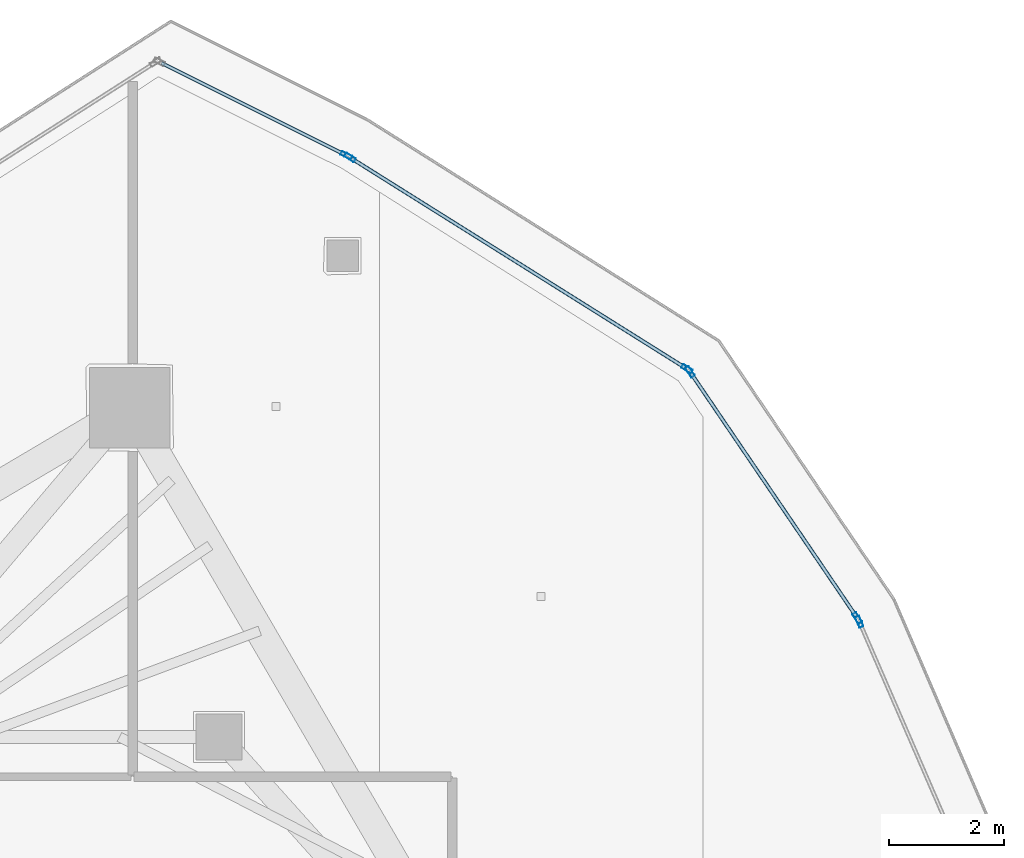
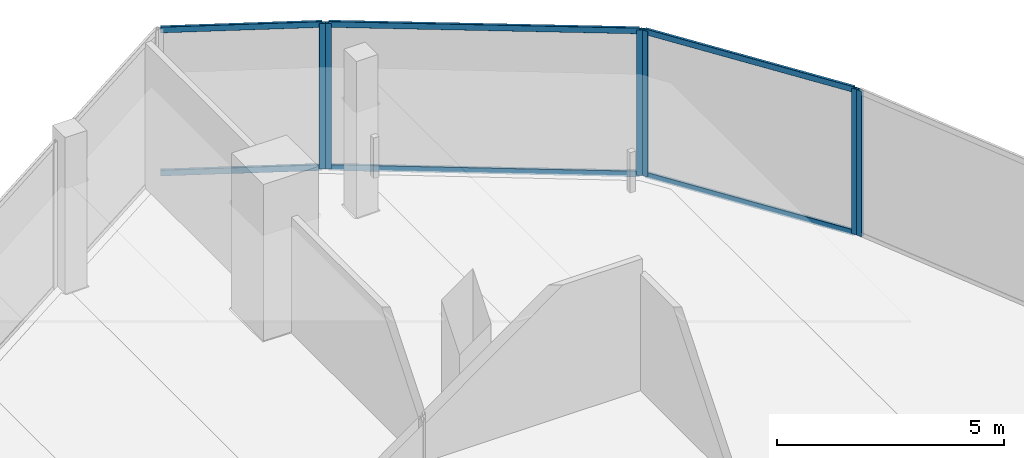
# One storey, part 18 of 27: 12 members, 4 elements without a shape of their own.
"""IFC4 building model written with IfcOpenShell, lengths in metres."""

import ifcopenshell
import ifcopenshell.guid

model = None  # the IFC model being written
_history = None  # IfcOwnerHistory: only IFC2X3 demands one
_inside = {}  # id of a spatial element -> (the spatial element, [elements in it])
_under = {}  # id of a project, library or spatial element -> (it, [spatial elements below it])
_declared = {}  # id of a project -> (the project, [libraries it declares])
_typed = {}  # id of a type object -> (the type object, [elements of that type])
_made_of = {}  # id of a material, layer set ... -> (it, [elements and type objects made of it])


def new_model(schema):
    """Start an empty IFC model of exactly this schema.

    Asked for "IFC4X3", IfcOpenShell would pick the latest addendum, in which some entities
    have other attributes; the version numbers below select the first issue.
    IFC2X3 requires an IfcOwnerHistory on every rooted entity: one is made here for all.
    """
    global model, _history
    if schema == "IFC4X3":
        model = ifcopenshell.file(schema_version=(4, 3, 0, 0))
    else:
        model = ifcopenshell.file(schema=schema)
    _inside.clear()
    _under.clear()
    _declared.clear()
    _typed.clear()
    _made_of.clear()
    _history = None
    if model.schema == "IFC2X3":
        org = make("IfcOrganization", Name="unknown")
        user = make(
            "IfcPersonAndOrganization",
            ThePerson=make("IfcPerson", FamilyName="unknown"),
            TheOrganization=org,
        )
        app = make(
            "IfcApplication",
            ApplicationDeveloper=org,
            Version="unknown",
            ApplicationFullName="unknown",
            ApplicationIdentifier="unknown",
        )
        _history = make(
            "IfcOwnerHistory",
            OwningUser=user,
            OwningApplication=app,
            ChangeAction="ADDED",
            CreationDate=0,
        )
    return model


def make(cls, **values):
    """One entity of the class cls with the attributes given. An attribute that is None is left unset."""
    return model.create_entity(
        cls, **{name: value for name, value in values.items() if value is not None}
    )


def rooted(cls, **values):
    """An entity with a GlobalId (a new one), such as an element, a storey or a relation."""
    return make(cls, GlobalId=ifcopenshell.guid.new(), OwnerHistory=_history, **values)


def si_unit(unit_type, name, prefix=None):
    """IfcSIUnit, for example si_unit("LENGTHUNIT", "METRE", prefix="MILLI")."""
    return make("IfcSIUnit", UnitType=unit_type, Prefix=prefix, Name=name)


def assignment(units):
    """IfcUnitAssignment: the units of a project."""
    return None if units is None else make("IfcUnitAssignment", Units=units)


def point(xyz):
    """IfcCartesianPoint."""
    return None if xyz is None else make("IfcCartesianPoint", Coordinates=xyz)


def direction(xyz):
    """IfcDirection."""
    return None if xyz is None else make("IfcDirection", DirectionRatios=xyz)


def frame(location, z_axis=None, x_axis=None):
    """IfcAxis2Placement3D, a coordinate frame: its origin and axes. An axis left out is left unset."""
    return make(
        "IfcAxis2Placement3D",
        Location=point(location),
        Axis=direction(z_axis),
        RefDirection=direction(x_axis),
    )


def frame_2d(location, x_axis=None):
    """IfcAxis2Placement2D, a coordinate frame in the plane: its origin and x axis."""
    return make(
        "IfcAxis2Placement2D", Location=point(location), RefDirection=direction(x_axis)
    )


def origin():
    """The frame at (0, 0, 0) with its axes left unset."""
    return frame((0.0, 0.0, 0.0))


def origin_2d():
    """The frame at (0, 0) in the plane with its x axis left unset."""
    return frame_2d((0.0, 0.0))


def place(relative_to, where):
    """IfcLocalPlacement: puts the frame where relative to a parent placement (None: the world)."""
    return make(
        "IfcLocalPlacement", PlacementRelTo=relative_to, RelativePlacement=where
    )


def context(
    kind, dimensions, precision=None, world=None, true_north=None, identifier=None
):
    """IfcGeometricRepresentationContext, for example the 3D "Model" context."""
    return make(
        "IfcGeometricRepresentationContext",
        ContextIdentifier=identifier,
        ContextType=kind,
        CoordinateSpaceDimension=dimensions,
        Precision=precision,
        WorldCoordinateSystem=world,
        TrueNorth=true_north,
    )


def subcontext(parent, identifier, kind, view, scale=None):
    """IfcGeometricRepresentationSubContext, for example "Body" below "Model"."""
    return make(
        "IfcGeometricRepresentationSubContext",
        ContextIdentifier=identifier,
        ContextType=kind,
        ParentContext=parent,
        TargetScale=scale,
        TargetView=view,
    )


def project(units=None, contexts=None):
    """IfcProject with its units and contexts."""
    return rooted(
        "IfcProject",
        Name="project",
        RepresentationContexts=contexts,
        UnitsInContext=assignment(units),
    )


def spatial(cls, under=None, at=None, **own):
    """A site, building, storey or space (cls), placed at a placement, below another one or the project."""
    s = rooted(cls, ObjectPlacement=at, **own)
    if under is not None:
        _under.setdefault(under.id(), (under, []))[1].append(s)
    return s


def profile(cls, at=None, kind="AREA", **sizes):
    """A parametric profile (cls). Its sizes go by their IFC names, for example OverallWidth=200.0."""
    return make(cls, ProfileType=kind, Position=at, **sizes)


def hollow_rectangle(**sizes):
    """IfcRectangleHollowProfileDef."""
    return profile("IfcRectangleHollowProfileDef", **sizes)


def extrude(swept, where, along, depth):
    """IfcExtrudedAreaSolid: the profile swept, set in the frame where, extruded along a direction by depth."""
    return make(
        "IfcExtrudedAreaSolid",
        SweptArea=swept,
        Position=where,
        ExtrudedDirection=direction(along),
        Depth=depth,
    )


def shape(context_of_items, identifier, shape_type, items):
    """IfcShapeRepresentation: the items that make up one representation, for example the "Body"."""
    return make(
        "IfcShapeRepresentation",
        ContextOfItems=context_of_items,
        RepresentationIdentifier=identifier,
        RepresentationType=shape_type,
        Items=items,
    )


def material(Name=None, Category=None):
    """IfcMaterial."""
    return make("IfcMaterial", Name=Name, Category=Category)


def layer(
    of_material, thickness, ventilated=None, Name=None, Category=None, Priority=None
):
    """IfcMaterialLayer: one layer of a wall or slab, of a material (None: an air gap)."""
    return make(
        "IfcMaterialLayer",
        Material=of_material,
        LayerThickness=thickness,
        IsVentilated=ventilated,
        Name=Name,
        Category=Category,
        Priority=Priority,
    )


def layer_set(layers, Name=None):
    """IfcMaterialLayerSet."""
    return make("IfcMaterialLayerSet", MaterialLayers=layers, LayerSetName=Name)


def material_profile(
    of_material, cross_section, Name=None, Category=None, Priority=None
):
    """IfcMaterialProfile: a cross section and its material."""
    return make(
        "IfcMaterialProfile",
        Name=Name,
        Material=of_material,
        Profile=cross_section,
        Priority=Priority,
        Category=Category,
    )


def profile_set(profiles, Name=None, composite=None):
    """IfcMaterialProfileSet."""
    return make(
        "IfcMaterialProfileSet",
        Name=Name,
        MaterialProfiles=profiles,
        CompositeProfile=composite,
    )


def made_of(thing, what):
    """Note that an element or type object is made of a material, layer set ...; save() writes the relation."""
    if what is not None:
        _made_of.setdefault(what.id(), (what, []))[1].append(thing)
    return thing


def type_object(cls, material=None, **own):
    """A type object (cls), such as IfcWallType, which elements share."""
    return made_of(rooted(cls, **own), material)


def element(
    cls,
    number,
    at=None,
    inside=None,
    cuts=None,
    type_object=None,
    material=None,
    context=None,
    identifier="Body",
    shape_type=None,
    held_by="IfcProductDefinitionShape",
    body=None,
    shapes=None,
    **own,
):
    """One element of the class cls, such as IfcWall. Its Tag is "e" and its number.

    at: its placement. inside: the storey or other place that contains it. cuts: it is an
    opening in that element (IfcRelVoidsElement). A single representation is given by context,
    identifier, shape_type and body (its items); several are given by shapes. held_by: the class
    of the entity that holds the representations. save() writes the other relations.
    """
    e = rooted(cls, Tag="e%d" % number, ObjectPlacement=at, **own)
    if body is not None:
        shapes = [shape(context, identifier, shape_type, body)]
    if shapes is not None:
        e.Representation = make(held_by, Representations=shapes)
    if inside is not None:
        _inside.setdefault(inside.id(), (inside, []))[1].append(e)
    if cuts is not None:
        rooted(
            "IfcRelVoidsElement", RelatingBuildingElement=cuts, RelatedOpeningElement=e
        )
    if type_object is not None:
        _typed.setdefault(type_object.id(), (type_object, []))[1].append(e)
    return made_of(e, material)


def aggregate(whole, parts):
    """IfcRelAggregates: a whole, such as a stair, and the parts it consists of."""
    return rooted("IfcRelAggregates", RelatingObject=whole, RelatedObjects=parts)


def save(model, path):
    """Write the relations noted so far, then the file.

    IfcRelAggregates (storeys below a building ...), IfcRelContainedInSpatialStructure (elements
    in a storey), IfcRelDefinesByType, IfcRelAssociatesMaterial and IfcRelDeclares: one each for
    every whole, place, type object, material and project.
    """
    for whole, parts in _under.values():
        aggregate(whole, parts)
    for where, things in _inside.values():
        rooted(
            "IfcRelContainedInSpatialStructure",
            RelatedElements=things,
            RelatingStructure=where,
        )
    for kind, things in _typed.values():
        rooted("IfcRelDefinesByType", RelatedObjects=things, RelatingType=kind)
    for what, things in _made_of.values():
        rooted("IfcRelAssociatesMaterial", RelatedObjects=things, RelatingMaterial=what)
    for by, libraries in _declared.values():
        rooted("IfcRelDeclares", RelatingContext=by, RelatedDefinitions=libraries)
    model.write(path)


model = new_model("IFC4")

# Units and contexts
model_context = context("Model", 3, precision=1e-05, world=origin(), true_north=direction((0.0, 1.0)))
body_context = subcontext(model_context, "Body", "Model", "MODEL_VIEW")
ifc_project = project(units=[si_unit("LENGTHUNIT", "METRE"), si_unit("AREAUNIT", "SQUARE_METRE"), si_unit("VOLUMEUNIT", "CUBIC_METRE"), si_unit("PLANEANGLEUNIT", "RADIAN"), si_unit("MASSUNIT", "GRAM", prefix="KILO")], contexts=[model_context])

# Site, building, storey
site_placement = place(None, origin())
site = spatial("IfcSite", under=ifc_project, at=site_placement, CompositionType="ELEMENT")
building_placement = place(site_placement, origin())
building = spatial("IfcBuilding", under=site, at=building_placement, Name="Qorvath Tower", CompositionType="ELEMENT")
storey_placement = place(building_placement, frame((0.0, 0.0, 293.39990234375)))
storey = spatial("IfcBuildingStorey", under=building, at=storey_placement, Name="L68", CompositionType="ELEMENT", Elevation=293.39990234375)

# Curtain wall, member
ifc_material_1 = material(Name="Anodised aluminium and triple low-E glass", Category="aluminium")
ifc_layer = layer(ifc_material_1, 0.179931640625)
ifc_layer_set = layer_set([ifc_layer], Name="CW-SYS-5")
curtain_wall_type = type_object("IfcCurtainWallType", Name="CW-SYS-5", PredefinedType="NOTDEFINED", material=ifc_layer_set)
curtain_wall_1_placement = place(storey_placement, origin())
curtain_wall_1 = element("IfcCurtainWall", 1, at=curtain_wall_1_placement, inside=storey, type_object=curtain_wall_type, Name="Curtain Wall CW-5 CW-T-L68-12.1", PredefinedType="NOTDEFINED")
ifc_material_2 = material(Name="Anodised aluminium 6063-T6", Category="aluminium")
ifc_material_profile_1 = material_profile(ifc_material_2, hollow_rectangle(XDim=0.074951171875, YDim=0.199951171875, WallThickness=0.00390625, InnerFilletRadius=0.00390625, OuterFilletRadius=0.008056640625, at=origin_2d()), Name="CWM 200x75")
ifc_profile_set_1 = profile_set([ifc_material_profile_1], Name="Anodised aluminium 6063-T6")
member_type_1 = type_object("IfcMemberType", Name="CWM-200", PredefinedType="MULLION", material=ifc_profile_set_1)
member_1_placement = place(storey_placement, frame((-6.064453125, 13.452392578125, 0.0), z_axis=(0.0, 0.0, 1.0), x_axis=(-0.917571145356, -0.397571620227, 0.0)))
member_1 = element("IfcMember", 2, at=member_1_placement, type_object=member_type_1, Name="CW-5 mullion 2", PredefinedType="MULLION", context=body_context, shape_type="SweptSolid", body=[
    extrude(hollow_rectangle(XDim=0.074951171875, YDim=0.199951171875, WallThickness=0.00390625, InnerFilletRadius=0.00390625, OuterFilletRadius=0.008056640625, at=origin_2d()), origin(), (0.0, 0.0, 1.0), 3.91015625),
])
aggregate(curtain_wall_1, [member_1])

# Curtain wall, members
curtain_wall_2_placement = place(storey_placement, origin())
curtain_wall_2 = element("IfcCurtainWall", 3, at=curtain_wall_2_placement, inside=storey, type_object=curtain_wall_type, Name="Curtain Wall CW-5 CW-T-L68-13.1", PredefinedType="NOTDEFINED")
member_2_placement = place(storey_placement, frame((-6.100341796875, 13.517822265625, 0.0), z_axis=(0.0, 0.0, 1.0), x_axis=(-0.827126975867, -0.562015093919, 0.0)))
member_2 = element("IfcMember", 4, at=member_2_placement, type_object=member_type_1, Name="CW-5 mullion 1", PredefinedType="MULLION", context=body_context, shape_type="SweptSolid", body=[
    extrude(hollow_rectangle(XDim=0.074951171875, YDim=0.199951171875, WallThickness=0.00390625, InnerFilletRadius=0.00390625, OuterFilletRadius=0.008056640625, at=origin_2d()), origin(), (0.0, 0.0, 1.0), 3.91015625),
])
member_3_placement = place(storey_placement, frame((-9.0087890625, 17.798095703125, 0.0), z_axis=(0.0, 0.0, 1.0), x_axis=(-0.827126975867, -0.562015093919, 0.0)))
member_3 = element("IfcMember", 5, at=member_3_placement, type_object=member_type_1, Name="CW-5 mullion 2", PredefinedType="MULLION", context=body_context, shape_type="SweptSolid", body=[
    extrude(hollow_rectangle(XDim=0.074951171875, YDim=0.199951171875, WallThickness=0.00390625, InnerFilletRadius=0.00390625, OuterFilletRadius=0.008056640625, at=origin_2d()), origin(), (0.0, 0.0, 1.0), 3.91015625),
])

curtain_wall_3_placement = place(storey_placement, origin())
curtain_wall_3 = element("IfcCurtainWall", 6, at=curtain_wall_3_placement, inside=storey, type_object=curtain_wall_type, Name="Curtain Wall CW-5 CW-T-L68-14.1", PredefinedType="NOTDEFINED")
member_4_placement = place(storey_placement, frame((-9.0615234375, 17.84912109375, 0.0), z_axis=(0.0, 0.0, 1.0), x_axis=(-0.531429285727, -0.847102658638, 0.0)))
member_4 = element("IfcMember", 7, at=member_4_placement, type_object=member_type_1, Name="CW-5 mullion 1", PredefinedType="MULLION", context=body_context, shape_type="SweptSolid", body=[
    extrude(hollow_rectangle(XDim=0.074951171875, YDim=0.199951171875, WallThickness=0.00390625, InnerFilletRadius=0.00390625, OuterFilletRadius=0.008056640625, at=origin_2d()), origin(), (0.0, 0.0, 1.0), 3.91015625),
])
member_5_placement = place(storey_placement, frame((-14.919921875, 21.524169921875, 0.0), z_axis=(0.0, 0.0, 1.0), x_axis=(-0.531429285727, -0.847102658638, 0.0)))
member_5 = element("IfcMember", 8, at=member_5_placement, type_object=member_type_1, Name="CW-5 mullion 2", PredefinedType="MULLION", context=body_context, shape_type="SweptSolid", body=[
    extrude(hollow_rectangle(XDim=0.074951171875, YDim=0.199951171875, WallThickness=0.00390625, InnerFilletRadius=0.00390625, OuterFilletRadius=0.008056640625, at=origin_2d()), origin(), (0.0, 0.0, 1.0), 3.91015625),
])

# Curtain wall, member
curtain_wall_4_placement = place(storey_placement, origin())
curtain_wall_4 = element("IfcCurtainWall", 9, at=curtain_wall_4_placement, inside=storey, type_object=curtain_wall_type, Name="Curtain Wall CW-5 CW-T-L68-15.1", PredefinedType="NOTDEFINED")
member_6_placement = place(storey_placement, frame((-14.9853515625, 21.56103515625, 0.0), z_axis=(0.0, 0.0, 1.0), x_axis=(-0.447213595499, -0.894427191001, 0.0)))
member_6 = element("IfcMember", 10, at=member_6_placement, type_object=member_type_1, Name="CW-5 mullion 1", PredefinedType="MULLION", context=body_context, shape_type="SweptSolid", body=[
    extrude(hollow_rectangle(XDim=0.074951171875, YDim=0.199951171875, WallThickness=0.00390625, InnerFilletRadius=0.00390625, OuterFilletRadius=0.008056640625, at=origin_2d()), origin(), (0.0, 0.0, 1.0), 3.91015625),
])

# Member
ifc_material_3 = material(Name="Anodised aluminium 6063-T6", Category="aluminium")
ifc_material_profile_2 = material_profile(ifc_material_3, hollow_rectangle(XDim=0.06494140625, YDim=0.159912109375, WallThickness=0.00341796875, InnerFilletRadius=0.00341796875, OuterFilletRadius=0.007080078125, at=origin_2d()), Name="CWT 160x65")
ifc_profile_set_2 = profile_set([ifc_material_profile_2], Name="Anodised aluminium 6063-T6")
member_type_2 = type_object("IfcMemberType", Name="CWT-160", PredefinedType="USERDEFINED", material=ifc_profile_set_2)
member_7_placement = place(storey_placement, frame((-6.121337890625, 13.548828125, 0.032470703125), z_axis=(-0.562014060619, 0.827127677971, 0.0), x_axis=(-0.827127677971, -0.562014060619, 0.0)))
member_7 = element("IfcMember", 11, at=member_7_placement, type_object=member_type_2, Name="CW-5 transom 1.1", ObjectType="TRANSOM", PredefinedType="USERDEFINED", context=body_context, shape_type="SweptSolid", body=[
    extrude(hollow_rectangle(XDim=0.06494140625, YDim=0.159912109375, WallThickness=0.00341796875, InnerFilletRadius=0.00341796875, OuterFilletRadius=0.007080078125, at=origin_2d()), origin(), (0.0, 0.0, 1.0), 5.099853515625),
])

member_8_placement = place(storey_placement, frame((-6.121337890625, 13.548828125, 3.877685546875), z_axis=(-0.562014060619, 0.827127677971, 0.0), x_axis=(-0.827127677971, -0.562014060619, 0.0)))
member_8 = element("IfcMember", 12, at=member_8_placement, type_object=member_type_2, Name="CW-5 transom 1.2", ObjectType="TRANSOM", PredefinedType="USERDEFINED", context=body_context, shape_type="SweptSolid", body=[
    extrude(hollow_rectangle(XDim=0.06494140625, YDim=0.159912109375, WallThickness=0.00341796875, InnerFilletRadius=0.00341796875, OuterFilletRadius=0.007080078125, at=origin_2d()), origin(), (0.0, 0.0, 1.0), 5.099853515625),
])

aggregate(curtain_wall_2, [member_2, member_3, member_7, member_8])

member_9_placement = place(storey_placement, frame((-9.09326171875, 17.868896484375, 0.032470703125), z_axis=(-0.847098862343, 0.531435337005, 0.0), x_axis=(-0.531435337005, -0.847098862343, 0.0)))
member_9 = element("IfcMember", 13, at=member_9_placement, type_object=member_type_2, Name="CW-5 transom 1.1", ObjectType="TRANSOM", PredefinedType="USERDEFINED", context=body_context, shape_type="SweptSolid", body=[
    extrude(hollow_rectangle(XDim=0.06494140625, YDim=0.159912109375, WallThickness=0.00341796875, InnerFilletRadius=0.00341796875, OuterFilletRadius=0.007080078125, at=origin_2d()), origin(), (0.0, 0.0, 1.0), 6.8408203125),
])

member_10_placement = place(storey_placement, frame((-9.09326171875, 17.868896484375, 3.877685546875), z_axis=(-0.847098862343, 0.531435337005, 0.0), x_axis=(-0.531435337005, -0.847098862343, 0.0)))
member_10 = element("IfcMember", 14, at=member_10_placement, type_object=member_type_2, Name="CW-5 transom 1.2", ObjectType="TRANSOM", PredefinedType="USERDEFINED", context=body_context, shape_type="SweptSolid", body=[
    extrude(hollow_rectangle(XDim=0.06494140625, YDim=0.159912109375, WallThickness=0.00341796875, InnerFilletRadius=0.00341796875, OuterFilletRadius=0.007080078125, at=origin_2d()), origin(), (0.0, 0.0, 1.0), 6.8408203125),
])

aggregate(curtain_wall_3, [member_4, member_5, member_9, member_10])

member_11_placement = place(storey_placement, frame((-15.018798828125, 21.57763671875, 0.032470703125), z_axis=(-0.894399724252, 0.447268524779, 0.0), x_axis=(-0.447268524779, -0.894399724252, 0.0)))
member_11 = element("IfcMember", 15, at=member_11_placement, type_object=member_type_2, Name="CW-5 transom 1.1", ObjectType="TRANSOM", PredefinedType="USERDEFINED", context=body_context, shape_type="SweptSolid", body=[
    extrude(hollow_rectangle(XDim=0.06494140625, YDim=0.159912109375, WallThickness=0.00341796875, InnerFilletRadius=0.00341796875, OuterFilletRadius=0.007080078125, at=origin_2d()), origin(), (0.0, 0.0, 1.0), 3.5556640625),
])

member_12_placement = place(storey_placement, frame((-15.018798828125, 21.57763671875, 3.877685546875), z_axis=(-0.894399724252, 0.447268524779, 0.0), x_axis=(-0.447268524779, -0.894399724252, 0.0)))
member_12 = element("IfcMember", 16, at=member_12_placement, type_object=member_type_2, Name="CW-5 transom 1.2", ObjectType="TRANSOM", PredefinedType="USERDEFINED", context=body_context, shape_type="SweptSolid", body=[
    extrude(hollow_rectangle(XDim=0.06494140625, YDim=0.159912109375, WallThickness=0.00341796875, InnerFilletRadius=0.00341796875, OuterFilletRadius=0.007080078125, at=origin_2d()), origin(), (0.0, 0.0, 1.0), 3.5556640625),
])

aggregate(curtain_wall_4, [member_6, member_11, member_12])

save(model, "model.ifc")
